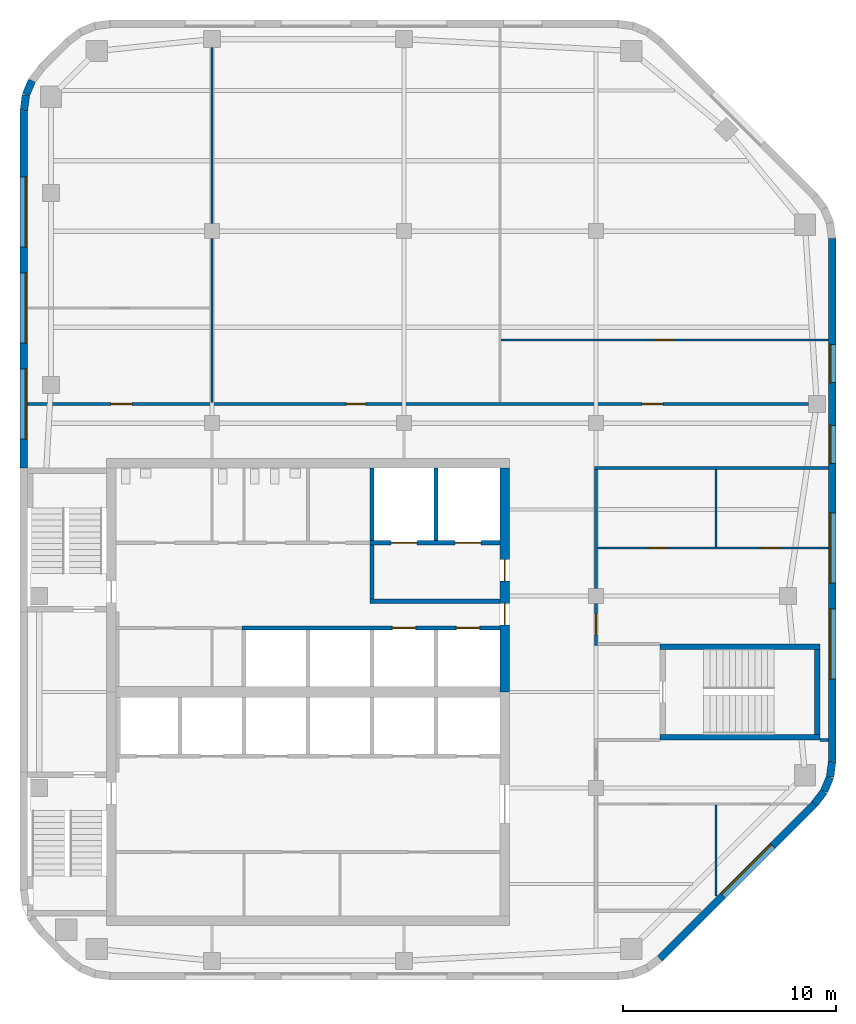
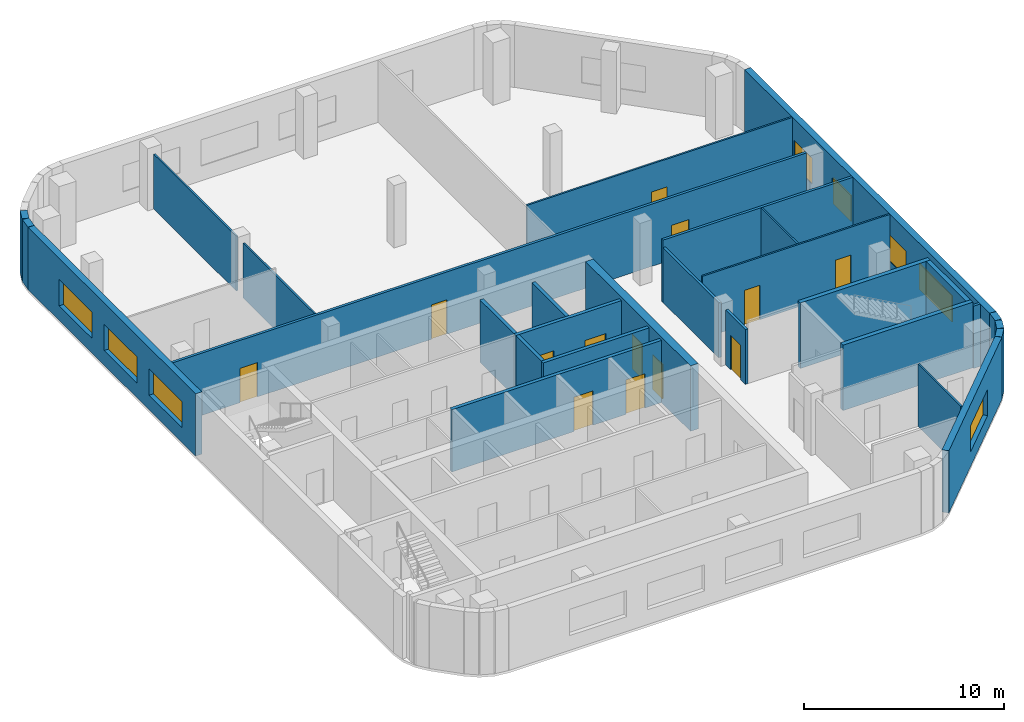
# One storey, part 4 of 7: 29 walls, 13 doors, 8 windows, 21 openings.
"""IFC4 building model written with IfcOpenShell, lengths in metres."""

from ifc_helpers import new_model, si_unit, direction, frame, frame_2d, origin, place, context, subcontext, project, spatial, rectangle, extrude, material, layer, layer_set, type_object, element, fill, save


model = new_model("IFC4")

# Units and contexts
model_context = context("Model", 3, precision=1e-05, world=origin(), true_north=direction((0.0, 1.0)))
body_context = subcontext(model_context, "Body", "Model", "MODEL_VIEW")
ifc_project = project(units=[si_unit("LENGTHUNIT", "METRE"), si_unit("AREAUNIT", "SQUARE_METRE"), si_unit("VOLUMEUNIT", "CUBIC_METRE"), si_unit("PLANEANGLEUNIT", "RADIAN"), si_unit("MASSUNIT", "GRAM", prefix="KILO")], contexts=[model_context])

# Site, building, storey
site_placement = place(None, origin())
site = spatial("IfcSite", under=ifc_project, at=site_placement, CompositionType="ELEMENT")
building_placement = place(site_placement, origin())
building = spatial("IfcBuilding", under=site, at=building_placement, Name="Cinnabar Reach Civic Tower", CompositionType="ELEMENT")
storey_placement = place(building_placement, frame((0.0, 0.0, 279.0)))
storey = spatial("IfcBuildingStorey", under=building, at=storey_placement, Name="L67", CompositionType="ELEMENT", Elevation=279.0)

# Walls
ifc_material_1 = material(Name="Facing brick with insulated backing", Category="masonry")
ifc_layer_1 = layer(ifc_material_1, 0.36)
ifc_layer_set_1 = layer_set([ifc_layer_1], Name="Brick corner wall")
wall_type_1 = type_object("IfcWallType", Name="Brick corner wall", PredefinedType="STANDARD", material=ifc_layer_set_1)
wall_1_placement = place(storey_placement, frame((37.2498, 26.2587, 0.0), z_axis=(0.0, 0.0, 1.0), x_axis=(0.608802368033, 0.793321924995, 0.0)))
element("IfcWall", 1, at=wall_1_placement, inside=storey, type_object=wall_type_1, Name="Brick corner wall", PredefinedType="STANDARD", context=body_context, shape_type="SweptSolid", body=[
    extrude(rectangle(XDim=0.7132, YDim=0.36, at=frame_2d((0.3566, 0.0))), origin(), (0.0, 0.0, 1.0), 3.8),
])
for number, where, z_axis, x_axis, name in (
    (2, (37.6952, 26.8439, 0.0), (0.0, 0.0, 1.0), (0.382702709855, 0.923871547278, 0.0), "Brick corner wall"),
    (3, (37.9739, 27.5244, 0.0), (0.0, 0.0, 1.0), (0.13055608231, 0.99144092581, 0.0), "Brick corner wall"),
    (4, (0.5548, 60.1561, 0.0), (0.0, 0.0, 1.0), (-0.382702709855, -0.923871547278, 0.0), "Brick corner wall"),
    (5, (0.2761, 59.4756, 0.0), (0.0, 0.0, 1.0), (-0.13055608231, -0.99144092581, 0.0), "Brick corner wall"),
):
    element("IfcWall", number, at=place(storey_placement, frame(where, z_axis=z_axis, x_axis=x_axis)), inside=storey, type_object=wall_type_1, Name=name, PredefinedType="STANDARD", context=body_context, shape_type="SweptSolid", body=[
        extrude(rectangle(XDim=0.7131, YDim=0.36, at=frame_2d((0.3565, 0.0))), origin(), (0.0, 0.0, 1.0), 3.8),
    ])

# Wall, opening, window
ifc_layer_2 = layer(ifc_material_1, 0.36)
ifc_layer_set_2 = layer_set([ifc_layer_2], Name="Brick pier and spandrel wall")
wall_type_2 = type_object("IfcWallType", Name="Brick pier and spandrel wall", PredefinedType="STANDARD", material=ifc_layer_set_2)
wall_2_placement = place(storey_placement, frame((30.0014, 19.006, 0.0), z_axis=(0.0, 0.0, 1.0), x_axis=(0.707106781187, 0.707106781187, 0.0)))
wall_2 = element("IfcWall", 6, at=wall_2_placement, inside=storey, type_object=wall_type_2, Name="Brick facade wall", PredefinedType="STANDARD", context=body_context, shape_type="SweptSolid", body=[
    extrude(rectangle(XDim=10.2426, YDim=0.36, at=frame_2d((5.1213, 0.0))), origin(), (0.0, 0.0, 1.0), 3.8),
])
opening_1_placement = place(wall_2_placement, frame((4.1713, 0.0, 0.9)))
opening_1 = element("IfcOpeningElement", 7, at=opening_1_placement, cuts=wall_2, Name="Opening W2317", PredefinedType="OPENING", context=body_context, shape_type="SweptSolid", body=[
    extrude(rectangle(XDim=3.3, YDim=1.6, at=frame_2d((1.65, 0.8))), frame((0.0, 0.19, 0.0), z_axis=(0.0, -1.0, 0.0), x_axis=(1.0, 0.0, 0.0)), (0.0, 0.0, 1.0), 0.38),
])
ifc_material_2 = material(Name="Clear double glazing in aluminium frame", Category="aluminium")
window_type_1 = type_object("IfcWindowType", Name="Deep-set window A", PartitioningType="SINGLE_PANEL", PredefinedType="WINDOW", material=ifc_material_2)
window_1_placement = place(opening_1_placement, origin())
window_1 = element("IfcWindow", 8, at=window_1_placement, inside=storey, type_object=window_type_1, Name="Window southeast face", OverallHeight=1.6, OverallWidth=3.3, PartitioningType="SINGLE_PANEL", PredefinedType="WINDOW", context=body_context, shape_type="SweptSolid", body=[
    extrude(rectangle(XDim=3.3, YDim=1.6, at=frame_2d((1.65, 0.8))), frame((0.0, 0.13, 0.0), z_axis=(0.0, -1.0, 0.0), x_axis=(1.0, 0.0, 0.0)), (0.0, 0.0, 1.0), 0.06),
])
fill(opening_1, window_1)

# Wall, openings, windows
wall_3_placement = place(storey_placement, frame((38.07, 28.2426, 0.0), z_axis=(0.0, 0.0, 1.0), x_axis=(0.0, 1.0, 0.0)))
wall_3 = element("IfcWall", 9, at=wall_3_placement, inside=storey, type_object=wall_type_2, Name="Brick facade wall", PredefinedType="STANDARD", context=body_context, shape_type="SweptSolid", body=[
    extrude(rectangle(XDim=24.5148, YDim=0.36, at=frame_2d((12.2574, 0.0))), origin(), (0.0, 0.0, 1.0), 3.8),
])
opening_2_placement = place(wall_3_placement, frame((3.8574, 0.0, 0.9)))
opening_2 = element("IfcOpeningElement", 10, at=opening_2_placement, cuts=wall_3, Name="Opening W2318", PredefinedType="OPENING", context=body_context, shape_type="SweptSolid", body=[
    extrude(rectangle(XDim=3.3, YDim=1.6, at=frame_2d((1.65, 0.8))), frame((0.0, 0.19, 0.0), z_axis=(0.0, -1.0, 0.0), x_axis=(1.0, 0.0, 0.0)), (0.0, 0.0, 1.0), 0.38),
])
opening_3_placement = place(wall_3_placement, frame((8.3574, 0.0, 0.9)))
opening_3 = element("IfcOpeningElement", 11, at=opening_3_placement, cuts=wall_3, Name="Opening W2319", PredefinedType="OPENING", context=body_context, shape_type="SweptSolid", body=[
    extrude(rectangle(XDim=3.3, YDim=1.6, at=frame_2d((1.65, 0.8))), frame((0.0, 0.19, 0.0), z_axis=(0.0, -1.0, 0.0), x_axis=(1.0, 0.0, 0.0)), (0.0, 0.0, 1.0), 0.38),
])
opening_4_placement = place(wall_3_placement, frame((13.9574, 0.0, 0.9)))
opening_4 = element("IfcOpeningElement", 12, at=opening_4_placement, cuts=wall_3, Name="Opening W2320", PredefinedType="OPENING", context=body_context, shape_type="SweptSolid", body=[
    extrude(rectangle(XDim=1.8, YDim=1.6, at=frame_2d((0.9, 0.8))), frame((0.0, 0.19, 0.0), z_axis=(0.0, -1.0, 0.0), x_axis=(1.0, 0.0, 0.0)), (0.0, 0.0, 1.0), 0.38),
])
opening_5_placement = place(wall_3_placement, frame((17.7574, 0.0, 0.9)))
opening_5 = element("IfcOpeningElement", 13, at=opening_5_placement, cuts=wall_3, Name="Opening W2321", PredefinedType="OPENING", context=body_context, shape_type="SweptSolid", body=[
    extrude(rectangle(XDim=1.8, YDim=1.6, at=frame_2d((0.9, 0.8))), frame((0.0, 0.19, 0.0), z_axis=(0.0, -1.0, 0.0), x_axis=(1.0, 0.0, 0.0)), (0.0, 0.0, 1.0), 0.38),
])
window_2_placement = place(opening_2_placement, origin())
window_2 = element("IfcWindow", 14, at=window_2_placement, inside=storey, type_object=window_type_1, Name="Window east face", OverallHeight=1.6, OverallWidth=3.3, PartitioningType="SINGLE_PANEL", PredefinedType="WINDOW", context=body_context, shape_type="SweptSolid", body=[
    extrude(rectangle(XDim=3.3, YDim=1.6, at=frame_2d((1.65, 0.8))), frame((0.0, 0.13, 0.0), z_axis=(0.0, -1.0, 0.0), x_axis=(1.0, 0.0, 0.0)), (0.0, 0.0, 1.0), 0.06),
])
fill(opening_2, window_2)
window_3_placement = place(opening_3_placement, origin())
window_3 = element("IfcWindow", 15, at=window_3_placement, inside=storey, type_object=window_type_1, Name="Window east face", OverallHeight=1.6, OverallWidth=3.3, PartitioningType="SINGLE_PANEL", PredefinedType="WINDOW", context=body_context, shape_type="SweptSolid", body=[
    extrude(rectangle(XDim=3.3, YDim=1.6, at=frame_2d((1.65, 0.8))), frame((0.0, 0.13, 0.0), z_axis=(0.0, -1.0, 0.0), x_axis=(1.0, 0.0, 0.0)), (0.0, 0.0, 1.0), 0.06),
])
fill(opening_3, window_3)
window_type_2 = type_object("IfcWindowType", Name="Deep-set window D", PartitioningType="SINGLE_PANEL", PredefinedType="WINDOW", material=ifc_material_2)
window_4_placement = place(opening_4_placement, origin())
window_4 = element("IfcWindow", 16, at=window_4_placement, inside=storey, type_object=window_type_2, Name="Window east face", OverallHeight=1.6, OverallWidth=1.8, PartitioningType="SINGLE_PANEL", PredefinedType="WINDOW", context=body_context, shape_type="SweptSolid", body=[
    extrude(rectangle(XDim=1.8, YDim=1.6, at=frame_2d((0.9, 0.8))), frame((0.0, 0.13, 0.0), z_axis=(0.0, -1.0, 0.0), x_axis=(1.0, 0.0, 0.0)), (0.0, 0.0, 1.0), 0.06),
])
fill(opening_4, window_4)
window_5_placement = place(opening_5_placement, origin())
window_5 = element("IfcWindow", 17, at=window_5_placement, inside=storey, type_object=window_type_2, Name="Window east face", OverallHeight=1.6, OverallWidth=1.8, PartitioningType="SINGLE_PANEL", PredefinedType="WINDOW", context=body_context, shape_type="SweptSolid", body=[
    extrude(rectangle(XDim=1.8, YDim=1.6, at=frame_2d((0.9, 0.8))), frame((0.0, 0.13, 0.0), z_axis=(0.0, -1.0, 0.0), x_axis=(1.0, 0.0, 0.0)), (0.0, 0.0, 1.0), 0.06),
])
fill(opening_5, window_5)

wall_4_placement = place(storey_placement, frame((0.18, 58.7574, 0.0), z_axis=(0.0, 0.0, 1.0), x_axis=(0.0, -1.0, 0.0)))
wall_4 = element("IfcWall", 18, at=wall_4_placement, inside=storey, type_object=wall_type_2, Name="Brick facade wall", PredefinedType="STANDARD", context=body_context, shape_type="SweptSolid", body=[
    extrude(rectangle(XDim=16.7574, YDim=0.36, at=frame_2d((8.3787, 0.0))), origin(), (0.0, 0.0, 1.0), 3.8),
])
opening_6_placement = place(wall_4_placement, frame((3.1074, 0.0, 0.9)))
opening_6 = element("IfcOpeningElement", 19, at=opening_6_placement, cuts=wall_4, Name="Opening W2327", PredefinedType="OPENING", context=body_context, shape_type="SweptSolid", body=[
    extrude(rectangle(XDim=3.3, YDim=1.6, at=frame_2d((1.65, 0.8))), frame((0.0, 0.19, 0.0), z_axis=(0.0, -1.0, 0.0), x_axis=(1.0, 0.0, 0.0)), (0.0, 0.0, 1.0), 0.38),
])
opening_7_placement = place(wall_4_placement, frame((7.6074, 0.0, 0.9)))
opening_7 = element("IfcOpeningElement", 20, at=opening_7_placement, cuts=wall_4, Name="Opening W2328", PredefinedType="OPENING", context=body_context, shape_type="SweptSolid", body=[
    extrude(rectangle(XDim=3.3, YDim=1.6, at=frame_2d((1.65, 0.8))), frame((0.0, 0.19, 0.0), z_axis=(0.0, -1.0, 0.0), x_axis=(1.0, 0.0, 0.0)), (0.0, 0.0, 1.0), 0.38),
])
opening_8_placement = place(wall_4_placement, frame((12.1074, 0.0, 0.9)))
opening_8 = element("IfcOpeningElement", 21, at=opening_8_placement, cuts=wall_4, Name="Opening W2329", PredefinedType="OPENING", context=body_context, shape_type="SweptSolid", body=[
    extrude(rectangle(XDim=3.3, YDim=1.6, at=frame_2d((1.65, 0.8))), frame((0.0, 0.19, 0.0), z_axis=(0.0, -1.0, 0.0), x_axis=(1.0, 0.0, 0.0)), (0.0, 0.0, 1.0), 0.38),
])
window_6_placement = place(opening_6_placement, origin())
window_6 = element("IfcWindow", 22, at=window_6_placement, inside=storey, type_object=window_type_1, Name="Window west face", OverallHeight=1.6, OverallWidth=3.3, PartitioningType="SINGLE_PANEL", PredefinedType="WINDOW", context=body_context, shape_type="SweptSolid", body=[
    extrude(rectangle(XDim=3.3, YDim=1.6, at=frame_2d((1.65, 0.8))), frame((0.0, 0.13, 0.0), z_axis=(0.0, -1.0, 0.0), x_axis=(1.0, 0.0, 0.0)), (0.0, 0.0, 1.0), 0.06),
])
fill(opening_6, window_6)
window_7_placement = place(opening_7_placement, origin())
window_7 = element("IfcWindow", 23, at=window_7_placement, inside=storey, type_object=window_type_1, Name="Window west face", OverallHeight=1.6, OverallWidth=3.3, PartitioningType="SINGLE_PANEL", PredefinedType="WINDOW", context=body_context, shape_type="SweptSolid", body=[
    extrude(rectangle(XDim=3.3, YDim=1.6, at=frame_2d((1.65, 0.8))), frame((0.0, 0.13, 0.0), z_axis=(0.0, -1.0, 0.0), x_axis=(1.0, 0.0, 0.0)), (0.0, 0.0, 1.0), 0.06),
])
fill(opening_7, window_7)
window_8_placement = place(opening_8_placement, origin())
window_8 = element("IfcWindow", 24, at=window_8_placement, inside=storey, type_object=window_type_1, Name="Window west face", OverallHeight=1.6, OverallWidth=3.3, PartitioningType="SINGLE_PANEL", PredefinedType="WINDOW", context=body_context, shape_type="SweptSolid", body=[
    extrude(rectangle(XDim=3.3, YDim=1.6, at=frame_2d((1.65, 0.8))), frame((0.0, 0.13, 0.0), z_axis=(0.0, -1.0, 0.0), x_axis=(1.0, 0.0, 0.0)), (0.0, 0.0, 1.0), 0.06),
])
fill(opening_8, window_8)

# Wall, openings, doors
ifc_material_3 = material(Name="Concrete C60", Category="concrete")
ifc_layer_3 = layer(ifc_material_3, 0.45)
ifc_layer_set_3 = layer_set([ifc_layer_3], Name="Core wall 450 EI 180")
wall_type_3 = type_object("IfcWallType", Name="Core wall 450 EI 180", PredefinedType="SOLIDWALL", material=ifc_layer_set_3)
wall_5_placement = place(storey_placement, frame((22.725, 31.5, 0.0), z_axis=(0.0, 0.0, 1.0), x_axis=(0.0, 1.0, 0.0)))
wall_5 = element("IfcWall", 25, at=wall_5_placement, inside=storey, type_object=wall_type_3, Name="Core wall T1 L67 E2", PredefinedType="SOLIDWALL", context=body_context, shape_type="SweptSolid", body=[
    extrude(rectangle(XDim=10.5, YDim=0.45, at=frame_2d((5.25, 0.0))), origin(), (0.0, 0.0, 1.0), 4.0),
])
opening_9_placement = place(wall_5_placement, frame((3.15, 0.0, 0.0)))
opening_9 = element("IfcOpeningElement", 26, at=opening_9_placement, cuts=wall_5, Name="Opening D5671", PredefinedType="OPENING", context=body_context, shape_type="SweptSolid", body=[
    extrude(rectangle(XDim=1.0, YDim=2.1, at=frame_2d((0.5, 1.05))), frame((0.0, 0.235, 0.0), z_axis=(0.0, -1.0, 0.0), x_axis=(1.0, 0.0, 0.0)), (0.0, 0.0, 1.0), 0.47),
])
opening_10_placement = place(wall_5_placement, frame((5.2, 0.0, 0.0)))
opening_10 = element("IfcOpeningElement", 27, at=opening_10_placement, cuts=wall_5, Name="Opening D5672", PredefinedType="OPENING", context=body_context, shape_type="SweptSolid", body=[
    extrude(rectangle(XDim=1.0, YDim=2.1, at=frame_2d((0.5, 1.05))), frame((0.0, 0.235, 0.0), z_axis=(0.0, -1.0, 0.0), x_axis=(1.0, 0.0, 0.0)), (0.0, 0.0, 1.0), 0.47),
])
ifc_material_4 = material(Name="Timber door leaf in steel frame", Category="steel")
door_type_1 = type_object("IfcDoorType", Name="Firefighting lobby door 1000 x 2100 T1", OperationType="SINGLE_SWING_LEFT", PredefinedType="DOOR", material=ifc_material_4)
door_1_placement = place(opening_10_placement, origin())
door_1 = element("IfcDoor", 28, at=door_1_placement, inside=storey, type_object=door_type_1, Name="Door D5672", OperationType="SINGLE_SWING_RIGHT", OverallHeight=2.1, OverallWidth=1.0, PredefinedType="DOOR", context=body_context, shape_type="SweptSolid", body=[
    extrude(rectangle(XDim=1.0, YDim=2.1, at=frame_2d((0.5, 1.05))), frame((0.0, 0.025, 0.0), z_axis=(0.0, -1.0, 0.0), x_axis=(1.0, 0.0, 0.0)), (0.0, 0.0, 1.0), 0.05),
])
fill(opening_10, door_1)
door_type_2 = type_object("IfcDoorType", Name="Single swing door 1000 x 2100 T1", OperationType="SINGLE_SWING_LEFT", PredefinedType="DOOR", material=ifc_material_4)
door_2_placement = place(opening_9_placement, origin())
door_2 = element("IfcDoor", 29, at=door_2_placement, inside=storey, type_object=door_type_2, Name="Door D5671", OperationType="SINGLE_SWING_RIGHT", OverallHeight=2.1, OverallWidth=1.0, PredefinedType="DOOR", context=body_context, shape_type="SweptSolid", body=[
    extrude(rectangle(XDim=1.0, YDim=2.1, at=frame_2d((0.5, 1.05))), frame((0.0, 0.025, 0.0), z_axis=(0.0, -1.0, 0.0), x_axis=(1.0, 0.0, 0.0)), (0.0, 0.0, 1.0), 0.05),
])
fill(opening_9, door_2)

ifc_material_5 = material(Name="Gypsum board on steel studs, double layer", Category="steel")
ifc_layer_4 = layer(ifc_material_5, 0.15)
ifc_layer_set_4 = layer_set([ifc_layer_4], Name="Corridor wall 150 T1")
wall_type_4 = type_object("IfcWallType", Name="Corridor wall 150 T1", PredefinedType="PARTITIONING", material=ifc_layer_set_4)
wall_6_placement = place(storey_placement, frame((0.36, 45.0, 0.0), z_axis=(0.0, 0.0, 1.0), x_axis=(1.0, 0.0, 0.0)))
wall_6 = element("IfcWall", 30, at=wall_6_placement, inside=storey, type_object=wall_type_4, Name="Corridor wall 18", PredefinedType="PARTITIONING", context=body_context, shape_type="SweptSolid", body=[
    extrude(rectangle(XDim=36.59, YDim=0.15, at=frame_2d((18.295, 0.0))), origin(), (0.0, 0.0, 1.0), 3.8),
])
opening_11_placement = place(wall_6_placement, frame((3.9, 0.0, 0.0)))
opening_11 = element("IfcOpeningElement", 31, at=opening_11_placement, cuts=wall_6, Name="Opening D5689", PredefinedType="OPENING", context=body_context, shape_type="SweptSolid", body=[
    extrude(rectangle(XDim=1.0, YDim=2.1, at=frame_2d((0.5, 1.05))), frame((0.0, 0.085, 0.0), z_axis=(0.0, -1.0, 0.0), x_axis=(1.0, 0.0, 0.0)), (0.0, 0.0, 1.0), 0.17),
])
opening_12_placement = place(wall_6_placement, frame((14.94, 0.0, 0.0)))
opening_12 = element("IfcOpeningElement", 32, at=opening_12_placement, cuts=wall_6, Name="Opening D5691", PredefinedType="OPENING", context=body_context, shape_type="SweptSolid", body=[
    extrude(rectangle(XDim=0.9, YDim=2.1, at=frame_2d((0.45, 1.05))), frame((0.0, 0.085, 0.0), z_axis=(0.0, -1.0, 0.0), x_axis=(1.0, 0.0, 0.0)), (0.0, 0.0, 1.0), 0.17),
])
opening_13_placement = place(wall_6_placement, frame((28.79, 0.0, 0.0)))
opening_13 = element("IfcOpeningElement", 33, at=opening_13_placement, cuts=wall_6, Name="Opening D5692", PredefinedType="OPENING", context=body_context, shape_type="SweptSolid", body=[
    extrude(rectangle(XDim=1.0, YDim=2.1, at=frame_2d((0.5, 1.05))), frame((0.0, 0.085, 0.0), z_axis=(0.0, -1.0, 0.0), x_axis=(1.0, 0.0, 0.0)), (0.0, 0.0, 1.0), 0.17),
])
door_type_3 = type_object("IfcDoorType", Name="Single swing door 900 x 2100 corridor T1", OperationType="SINGLE_SWING_LEFT", PredefinedType="DOOR", material=ifc_material_4)
door_3_placement = place(opening_12_placement, frame((0.9, 0.0, 0.0), z_axis=(0.0, 0.0, 1.0), x_axis=(-1.0, 0.0, 0.0)))
door_3 = element("IfcDoor", 34, at=door_3_placement, inside=storey, type_object=door_type_3, Name="Door D5691", OperationType="SINGLE_SWING_RIGHT", OverallHeight=2.1, OverallWidth=0.9, PredefinedType="DOOR", context=body_context, shape_type="SweptSolid", body=[
    extrude(rectangle(XDim=0.9, YDim=2.1, at=frame_2d((0.45, 1.05))), frame((0.0, 0.025, 0.0), z_axis=(0.0, -1.0, 0.0), x_axis=(1.0, 0.0, 0.0)), (0.0, 0.0, 1.0), 0.05),
])
fill(opening_12, door_3)
door_type_4 = type_object("IfcDoorType", Name="Tenancy entrance door 1000 x 2100 T1", OperationType="SINGLE_SWING_LEFT", PredefinedType="DOOR", material=ifc_material_4)
door_4_placement = place(opening_11_placement, origin())
door_4 = element("IfcDoor", 35, at=door_4_placement, inside=storey, type_object=door_type_4, Name="Door D5689", OperationType="SINGLE_SWING_LEFT", OverallHeight=2.1, OverallWidth=1.0, PredefinedType="DOOR", context=body_context, shape_type="SweptSolid", body=[
    extrude(rectangle(XDim=1.0, YDim=2.1, at=frame_2d((0.5, 1.05))), frame((0.0, 0.025, 0.0), z_axis=(0.0, -1.0, 0.0), x_axis=(1.0, 0.0, 0.0)), (0.0, 0.0, 1.0), 0.05),
])
fill(opening_11, door_4)
door_5_placement = place(opening_13_placement, origin())
door_5 = element("IfcDoor", 36, at=door_5_placement, inside=storey, type_object=door_type_4, Name="Door D5692", OperationType="SINGLE_SWING_RIGHT", OverallHeight=2.1, OverallWidth=1.0, PredefinedType="DOOR", context=body_context, shape_type="SweptSolid", body=[
    extrude(rectangle(XDim=1.0, YDim=2.1, at=frame_2d((0.5, 1.05))), frame((0.0, 0.025, 0.0), z_axis=(0.0, -1.0, 0.0), x_axis=(1.0, 0.0, 0.0)), (0.0, 0.0, 1.0), 0.05),
])
fill(opening_13, door_5)

# Wall
wall_7_placement = place(storey_placement, frame((26.925, 42.0, 0.0), z_axis=(0.0, 0.0, 1.0), x_axis=(1.0, 0.0, 0.0)))
element("IfcWall", 37, at=wall_7_placement, inside=storey, type_object=wall_type_4, Name="Corridor wall 21", PredefinedType="PARTITIONING", context=body_context, shape_type="SweptSolid", body=[
    extrude(rectangle(XDim=10.965, YDim=0.15, at=frame_2d((5.4825, 0.0))), origin(), (0.0, 0.0, 1.0), 3.8),
])

# Wall, opening, door
wall_8_placement = place(storey_placement, frame((27.0, 33.675, 0.0), z_axis=(0.0, 0.0, 1.0), x_axis=(0.0, 1.0, 0.0)))
wall_8 = element("IfcWall", 38, at=wall_8_placement, inside=storey, type_object=wall_type_4, Name="Corridor wall 22", PredefinedType="PARTITIONING", context=body_context, shape_type="SweptSolid", body=[
    extrude(rectangle(XDim=1.975, YDim=0.15, at=frame_2d((0.9875, 0.0))), origin(), (0.0, 0.0, 1.0), 3.35),
])
opening_14_placement = place(wall_8_placement, frame((0.5, 0.0, 0.0)))
opening_14 = element("IfcOpeningElement", 39, at=opening_14_placement, cuts=wall_8, Name="Opening D5683", PredefinedType="OPENING", context=body_context, shape_type="SweptSolid", body=[
    extrude(rectangle(XDim=1.0, YDim=2.1, at=frame_2d((0.5, 1.05))), frame((0.0, 0.085, 0.0), z_axis=(0.0, -1.0, 0.0), x_axis=(1.0, 0.0, 0.0)), (0.0, 0.0, 1.0), 0.17),
])
door_6_placement = place(opening_14_placement, frame((1.0, 0.0, 0.0), z_axis=(0.0, 0.0, 1.0), x_axis=(-1.0, 0.0, 0.0)))
door_6 = element("IfcDoor", 40, at=door_6_placement, inside=storey, type_object=door_type_4, Name="Door D5683", OperationType="SINGLE_SWING_RIGHT", OverallHeight=2.1, OverallWidth=1.0, PredefinedType="DOOR", context=body_context, shape_type="SweptSolid", body=[
    extrude(rectangle(XDim=1.0, YDim=2.1, at=frame_2d((0.5, 1.05))), frame((0.0, 0.025, 0.0), z_axis=(0.0, -1.0, 0.0), x_axis=(1.0, 0.0, 0.0)), (0.0, 0.0, 1.0), 0.05),
])
fill(opening_14, door_6)

# Wall
wall_9_placement = place(storey_placement, frame((27.0, 36.35, 0.0), z_axis=(0.0, 0.0, 1.0), x_axis=(0.0, 1.0, 0.0)))
element("IfcWall", 41, at=wall_9_placement, inside=storey, type_object=wall_type_4, Name="Corridor wall 23", PredefinedType="PARTITIONING", context=body_context, shape_type="SweptSolid", body=[
    extrude(rectangle(XDim=5.575, YDim=0.15, at=frame_2d((2.7875, 0.0))), origin(), (0.0, 0.0, 1.0), 3.35),
])

# Wall, openings, doors
ifc_material_6 = material(Name="Blockwork", Category="masonry")
ifc_layer_5 = layer(ifc_material_6, 0.2)
ifc_layer_set_5 = layer_set([ifc_layer_5], Name="Lift shaft wall 200 T1")
wall_type_5 = type_object("IfcWallType", Name="Lift shaft wall 200 T1", PredefinedType="PARTITIONING", material=ifc_layer_set_5)
wall_10_placement = place(storey_placement, frame((10.4, 34.5, 0.0), z_axis=(0.0, 0.0, 1.0), x_axis=(1.0, 0.0, 0.0)))
wall_10 = element("IfcWall", 42, at=wall_10_placement, inside=storey, type_object=wall_type_5, Name="Lift shaft wall 5", PredefinedType="PARTITIONING", context=body_context, shape_type="SweptSolid", body=[
    extrude(rectangle(XDim=12.1, YDim=0.2, at=frame_2d((6.05, 0.0))), origin(), (0.0, 0.0, 1.0), 3.8),
])
opening_15_placement = place(wall_10_placement, frame((7.05, 0.0, 0.0)))
opening_15 = element("IfcOpeningElement", 43, at=opening_15_placement, cuts=wall_10, Name="Opening D5666", PredefinedType="OPENING", context=body_context, shape_type="SweptSolid", body=[
    extrude(rectangle(XDim=1.1, YDim=2.1, at=frame_2d((0.55, 1.05))), frame((0.0, 0.11, 0.0), z_axis=(0.0, -1.0, 0.0), x_axis=(1.0, 0.0, 0.0)), (0.0, 0.0, 1.0), 0.22),
])
opening_16_placement = place(wall_10_placement, frame((10.05, 0.0, 0.0)))
opening_16 = element("IfcOpeningElement", 44, at=opening_16_placement, cuts=wall_10, Name="Opening D5667", PredefinedType="OPENING", context=body_context, shape_type="SweptSolid", body=[
    extrude(rectangle(XDim=1.1, YDim=2.1, at=frame_2d((0.55, 1.05))), frame((0.0, 0.11, 0.0), z_axis=(0.0, -1.0, 0.0), x_axis=(1.0, 0.0, 0.0)), (0.0, 0.0, 1.0), 0.22),
])
ifc_material_7 = material(Name="Stainless steel sliding door", Category="steel")
door_type_5 = type_object("IfcDoorType", Name="Lift landing door 1100 x 2100 T1", OperationType="SLIDING_TO_LEFT", PredefinedType="DOOR", material=ifc_material_7)
door_7_placement = place(opening_15_placement, origin())
door_7 = element("IfcDoor", 45, at=door_7_placement, inside=storey, type_object=door_type_5, Name="Lift landing door SV1 L67", OperationType="SLIDING_TO_LEFT", OverallHeight=2.1, OverallWidth=1.1, PredefinedType="DOOR", context=body_context, shape_type="SweptSolid", body=[
    extrude(rectangle(XDim=1.1, YDim=2.1, at=frame_2d((0.55, 1.05))), frame((0.0, 0.025, 0.0), z_axis=(0.0, -1.0, 0.0), x_axis=(1.0, 0.0, 0.0)), (0.0, 0.0, 1.0), 0.05),
])
fill(opening_15, door_7)
door_8_placement = place(opening_16_placement, origin())
door_8 = element("IfcDoor", 46, at=door_8_placement, inside=storey, type_object=door_type_5, Name="Lift landing door SV2 L67", OperationType="SLIDING_TO_LEFT", OverallHeight=2.1, OverallWidth=1.1, PredefinedType="DOOR", context=body_context, shape_type="SweptSolid", body=[
    extrude(rectangle(XDim=1.1, YDim=2.1, at=frame_2d((0.55, 1.05))), frame((0.0, 0.025, 0.0), z_axis=(0.0, -1.0, 0.0), x_axis=(1.0, 0.0, 0.0)), (0.0, 0.0, 1.0), 0.05),
])
fill(opening_16, door_8)

# Walls
for number, where, z_axis, x_axis, name in (
    (47, (16.5, 38.6, 0.0), (0.0, 0.0, 1.0), (0.0, 1.0, 0.0), "Lift shaft wall 14"),
    (48, (19.5, 38.6, 0.0), (0.0, 0.0, 1.0), (0.0, 1.0, 0.0), "Lift shaft wall 15"),
):
    element("IfcWall", number, at=place(storey_placement, frame(where, z_axis=z_axis, x_axis=x_axis)), inside=storey, type_object=wall_type_5, Name=name, PredefinedType="PARTITIONING", context=body_context, shape_type="SweptSolid", body=[
        extrude(rectangle(XDim=3.4, YDim=0.2, at=frame_2d((1.7, 0.0))), origin(), (0.0, 0.0, 1.0), 3.8),
    ])
ifc_material_8 = material(Name="Gypsum board on steel studs", Category="steel")
ifc_layer_6 = layer(ifc_material_8, 0.1)
ifc_layer_set_6 = layer_set([ifc_layer_6], Name="Partition wall 100 T1")
wall_type_6 = type_object("IfcWallType", Name="Partition wall 100 T1", PredefinedType="PARTITIONING", material=ifc_layer_set_6)
wall_11_placement = place(storey_placement, frame((9.0, 45.075, 0.0), z_axis=(0.0, 0.0, 1.0), x_axis=(0.0, 1.0, 0.0)))
element("IfcWall", 49, at=wall_11_placement, inside=storey, type_object=wall_type_6, Name="Partition wall 35", PredefinedType="PARTITIONING", context=body_context, shape_type="SweptSolid", body=[
    extrude(rectangle(XDim=7.675, YDim=0.1, at=frame_2d((3.8375, 0.0))), origin(), (0.0, 0.0, 1.0), 3.35),
])
wall_12_placement = place(storey_placement, frame((9.0, 53.45, 0.0), z_axis=(0.0, 0.0, 1.0), x_axis=(0.0, 1.0, 0.0)))
element("IfcWall", 50, at=wall_12_placement, inside=storey, type_object=wall_type_6, Name="Partition wall 36", PredefinedType="PARTITIONING", context=body_context, shape_type="SweptSolid", body=[
    extrude(rectangle(XDim=8.25, YDim=0.1, at=frame_2d((4.125, 0.0))), origin(), (0.0, 0.0, 1.0), 3.35),
])

# Wall, opening, door
wall_13_placement = place(storey_placement, frame((22.55, 48.0, 0.0), z_axis=(0.0, 0.0, 1.0), x_axis=(1.0, 0.0, 0.0)))
wall_13 = element("IfcWall", 51, at=wall_13_placement, inside=storey, type_object=wall_type_6, Name="Partition wall 38", PredefinedType="PARTITIONING", context=body_context, shape_type="SweptSolid", body=[
    extrude(rectangle(XDim=15.34, YDim=0.1, at=frame_2d((7.67, 0.0))), origin(), (0.0, 0.0, 1.0), 3.8),
])
opening_17_placement = place(wall_13_placement, frame((7.2, 0.0, 0.0)))
opening_17 = element("IfcOpeningElement", 52, at=opening_17_placement, cuts=wall_13, Name="Opening D5693", PredefinedType="OPENING", context=body_context, shape_type="SweptSolid", body=[
    extrude(rectangle(XDim=0.9, YDim=2.1, at=frame_2d((0.45, 1.05))), frame((0.0, 0.06, 0.0), z_axis=(0.0, -1.0, 0.0), x_axis=(1.0, 0.0, 0.0)), (0.0, 0.0, 1.0), 0.12),
])
door_type_6 = type_object("IfcDoorType", Name="Single swing door 900 x 2100 T1", OperationType="SINGLE_SWING_LEFT", PredefinedType="DOOR", material=ifc_material_4)
door_9_placement = place(opening_17_placement, frame((0.9, 0.0, 0.0), z_axis=(0.0, 0.0, 1.0), x_axis=(-1.0, 0.0, 0.0)))
door_9 = element("IfcDoor", 53, at=door_9_placement, inside=storey, type_object=door_type_6, Name="Door D5693", OperationType="SINGLE_SWING_LEFT", OverallHeight=2.1, OverallWidth=0.9, PredefinedType="DOOR", context=body_context, shape_type="SweptSolid", body=[
    extrude(rectangle(XDim=0.9, YDim=2.1, at=frame_2d((0.45, 1.05))), frame((0.0, 0.025, 0.0), z_axis=(0.0, -1.0, 0.0), x_axis=(1.0, 0.0, 0.0)), (0.0, 0.0, 1.0), 0.05),
])
fill(opening_17, door_9)

# Wall, openings, doors
wall_14_placement = place(storey_placement, frame((27.075, 38.25, 0.0), z_axis=(0.0, 0.0, 1.0), x_axis=(1.0, 0.0, 0.0)))
wall_14 = element("IfcWall", 54, at=wall_14_placement, inside=storey, type_object=wall_type_6, Name="Partition wall 39", PredefinedType="PARTITIONING", context=body_context, shape_type="SweptSolid", body=[
    extrude(rectangle(XDim=10.815, YDim=0.1, at=frame_2d((5.4075, 0.0))), origin(), (0.0, 0.0, 1.0), 3.8),
])
opening_18_placement = place(wall_14_placement, frame((2.4, 0.0, 0.0)))
opening_18 = element("IfcOpeningElement", 55, at=opening_18_placement, cuts=wall_14, Name="Opening D5684", PredefinedType="OPENING", context=body_context, shape_type="SweptSolid", body=[
    extrude(rectangle(XDim=0.9, YDim=2.1, at=frame_2d((0.45, 1.05))), frame((0.0, 0.06, 0.0), z_axis=(0.0, -1.0, 0.0), x_axis=(1.0, 0.0, 0.0)), (0.0, 0.0, 1.0), 0.12),
])
opening_19_placement = place(wall_14_placement, frame((7.65, 0.0, 0.0)))
opening_19 = element("IfcOpeningElement", 56, at=opening_19_placement, cuts=wall_14, Name="Opening D5685", PredefinedType="OPENING", context=body_context, shape_type="SweptSolid", body=[
    extrude(rectangle(XDim=0.9, YDim=2.1, at=frame_2d((0.45, 1.05))), frame((0.0, 0.06, 0.0), z_axis=(0.0, -1.0, 0.0), x_axis=(1.0, 0.0, 0.0)), (0.0, 0.0, 1.0), 0.12),
])
door_10_placement = place(opening_18_placement, origin())
door_10 = element("IfcDoor", 57, at=door_10_placement, inside=storey, type_object=door_type_6, Name="Door D5684", OperationType="SINGLE_SWING_LEFT", OverallHeight=2.1, OverallWidth=0.9, PredefinedType="DOOR", context=body_context, shape_type="SweptSolid", body=[
    extrude(rectangle(XDim=0.9, YDim=2.1, at=frame_2d((0.45, 1.05))), frame((0.0, 0.025, 0.0), z_axis=(0.0, -1.0, 0.0), x_axis=(1.0, 0.0, 0.0)), (0.0, 0.0, 1.0), 0.05),
])
fill(opening_18, door_10)
door_11_placement = place(opening_19_placement, origin())
door_11 = element("IfcDoor", 58, at=door_11_placement, inside=storey, type_object=door_type_6, Name="Door D5685", OperationType="SINGLE_SWING_LEFT", OverallHeight=2.1, OverallWidth=0.9, PredefinedType="DOOR", context=body_context, shape_type="SweptSolid", body=[
    extrude(rectangle(XDim=0.9, YDim=2.1, at=frame_2d((0.45, 1.05))), frame((0.0, 0.025, 0.0), z_axis=(0.0, -1.0, 0.0), x_axis=(1.0, 0.0, 0.0)), (0.0, 0.0, 1.0), 0.05),
])
fill(opening_19, door_11)

# Walls
wall_15_placement = place(storey_placement, frame((32.625, 21.9341, 0.0), z_axis=(0.0, 0.0, 1.0), x_axis=(0.0, 1.0, 0.0)))
element("IfcWall", 59, at=wall_15_placement, inside=storey, type_object=wall_type_6, Name="Partition wall 42", PredefinedType="PARTITIONING", context=body_context, shape_type="SweptSolid", body=[
    extrude(rectangle(XDim=4.2659, YDim=0.1, at=frame_2d((2.133, 0.0))), origin(), (0.0, 0.0, 1.0), 3.8),
])
wall_16_placement = place(storey_placement, frame((32.625, 38.3, 0.0), z_axis=(0.0, 0.0, 1.0), x_axis=(0.0, 1.0, 0.0)))
element("IfcWall", 60, at=wall_16_placement, inside=storey, type_object=wall_type_6, Name="Partition wall 43", PredefinedType="PARTITIONING", context=body_context, shape_type="SweptSolid", body=[
    extrude(rectangle(XDim=3.625, YDim=0.1, at=frame_2d((1.8125, 0.0))), origin(), (0.0, 0.0, 1.0), 3.8),
])
ifc_material_9 = material(Name="Concrete C40", Category="concrete")
ifc_layer_7 = layer(ifc_material_9, 0.2)
ifc_layer_set_7 = layer_set([ifc_layer_7], Name="Refuge compartment wall 200 T1")
wall_type_7 = type_object("IfcWallType", Name="Refuge compartment wall 200 T1", PredefinedType="PARTITIONING", material=ifc_layer_set_7)
wall_17_placement = place(storey_placement, frame((16.4, 35.75, 0.0), z_axis=(0.0, 0.0, 1.0), x_axis=(1.0, 0.0, 0.0)))
element("IfcWall", 61, at=wall_17_placement, inside=storey, type_object=wall_type_7, Name="Refuge compartment wall 1", PredefinedType="PARTITIONING", context=body_context, shape_type="SweptSolid", body=[
    extrude(rectangle(XDim=6.1, YDim=0.2, at=frame_2d((3.05, 0.0))), origin(), (0.0, 0.0, 1.0), 3.8),
])

# Wall, openings, doors
wall_18_placement = place(storey_placement, frame((16.4, 38.5, 0.0), z_axis=(0.0, 0.0, 1.0), x_axis=(1.0, 0.0, 0.0)))
wall_18 = element("IfcWall", 62, at=wall_18_placement, inside=storey, type_object=wall_type_7, Name="Refuge compartment wall 2", PredefinedType="PARTITIONING", context=body_context, shape_type="SweptSolid", body=[
    extrude(rectangle(XDim=6.1, YDim=0.2, at=frame_2d((3.05, 0.0))), origin(), (0.0, 0.0, 1.0), 3.8),
])
opening_20_placement = place(wall_18_placement, frame((1.0, 0.0, 0.0)))
opening_20 = element("IfcOpeningElement", 63, at=opening_20_placement, cuts=wall_18, Name="Opening D5668", PredefinedType="OPENING", context=body_context, shape_type="SweptSolid", body=[
    extrude(rectangle(XDim=1.2, YDim=2.1, at=frame_2d((0.6, 1.05))), frame((0.0, 0.11, 0.0), z_axis=(0.0, -1.0, 0.0), x_axis=(1.0, 0.0, 0.0)), (0.0, 0.0, 1.0), 0.22),
])
opening_21_placement = place(wall_18_placement, frame((4.0, 0.0, 0.0)))
opening_21 = element("IfcOpeningElement", 64, at=opening_21_placement, cuts=wall_18, Name="Opening D5669", PredefinedType="OPENING", context=body_context, shape_type="SweptSolid", body=[
    extrude(rectangle(XDim=1.2, YDim=2.1, at=frame_2d((0.6, 1.05))), frame((0.0, 0.11, 0.0), z_axis=(0.0, -1.0, 0.0), x_axis=(1.0, 0.0, 0.0)), (0.0, 0.0, 1.0), 0.22),
])
door_type_7 = type_object("IfcDoorType", Name="Firefighting lift landing door 1200 x 2100 T1", OperationType="SLIDING_TO_LEFT", PredefinedType="DOOR", material=ifc_material_7)
door_12_placement = place(opening_20_placement, origin())
door_12 = element("IfcDoor", 65, at=door_12_placement, inside=storey, type_object=door_type_7, Name="Lift landing door FF1 L67", OperationType="SLIDING_TO_LEFT", OverallHeight=2.1, OverallWidth=1.2, PredefinedType="DOOR", context=body_context, shape_type="SweptSolid", body=[
    extrude(rectangle(XDim=1.2, YDim=2.1, at=frame_2d((0.6, 1.05))), frame((0.0, 0.025, 0.0), z_axis=(0.0, -1.0, 0.0), x_axis=(1.0, 0.0, 0.0)), (0.0, 0.0, 1.0), 0.05),
])
fill(opening_20, door_12)
door_13_placement = place(opening_21_placement, origin())
door_13 = element("IfcDoor", 66, at=door_13_placement, inside=storey, type_object=door_type_7, Name="Lift landing door FF2 L67", OperationType="SLIDING_TO_LEFT", OverallHeight=2.1, OverallWidth=1.2, PredefinedType="DOOR", context=body_context, shape_type="SweptSolid", body=[
    extrude(rectangle(XDim=1.2, YDim=2.1, at=frame_2d((0.6, 1.05))), frame((0.0, 0.025, 0.0), z_axis=(0.0, -1.0, 0.0), x_axis=(1.0, 0.0, 0.0)), (0.0, 0.0, 1.0), 0.05),
])
fill(opening_21, door_13)

# Walls
wall_19_placement = place(storey_placement, frame((16.5, 35.85, 0.0), z_axis=(0.0, 0.0, 1.0), x_axis=(0.0, 1.0, 0.0)))
element("IfcWall", 67, at=wall_19_placement, inside=storey, type_object=wall_type_7, Name="Refuge compartment wall 3", PredefinedType="PARTITIONING", context=body_context, shape_type="SweptSolid", body=[
    extrude(rectangle(XDim=2.55, YDim=0.2, at=frame_2d((1.275, 0.0))), origin(), (0.0, 0.0, 1.0), 3.8),
])
ifc_layer_8 = layer(ifc_material_3, 0.25)
ifc_layer_set_8 = layer_set([ifc_layer_8], Name="Stair shaft wall 250 EI 120")
wall_type_8 = type_object("IfcWallType", Name="Stair shaft wall 250 EI 120", PredefinedType="SOLIDWALL", material=ifc_layer_set_8)
for number, where, z_axis, x_axis, name in (
    (68, (30.0, 29.375, 0.0), (0.0, 0.0, 1.0), (1.0, 0.0, 0.0), "Stair shaft wall T1-S3 L67"),
    (69, (37.5, 33.625, 0.0), (0.0, 0.0, 1.0), (-1.0, 0.0, 0.0), "Stair shaft wall T1-S3 L67"),
):
    element("IfcWall", number, at=place(storey_placement, frame(where, z_axis=z_axis, x_axis=x_axis)), inside=storey, type_object=wall_type_8, Name=name, PredefinedType="SOLIDWALL", context=body_context, shape_type="SweptSolid", body=[
        extrude(rectangle(XDim=7.5, YDim=0.25, at=frame_2d((3.75, 0.0))), origin(), (0.0, 0.0, 1.0), 4.0),
    ])
wall_20_placement = place(storey_placement, frame((37.375, 29.5, 0.0), z_axis=(0.0, 0.0, 1.0), x_axis=(0.0, 1.0, 0.0)))
element("IfcWall", 70, at=wall_20_placement, inside=storey, type_object=wall_type_8, Name="Stair shaft wall T1-S3 L67", PredefinedType="SOLIDWALL", context=body_context, shape_type="SweptSolid", body=[
    extrude(rectangle(XDim=4.0, YDim=0.25, at=frame_2d((2.0, 0.0))), origin(), (0.0, 0.0, 1.0), 4.0),
])
ifc_layer_9 = layer(ifc_material_5, 0.15)
ifc_layer_set_9 = layer_set([ifc_layer_9], Name="Tenancy separating wall 150 T1")
wall_type_9 = type_object("IfcWallType", Name="Tenancy separating wall 150 T1", PredefinedType="PARTITIONING", material=ifc_layer_set_9)
wall_21_placement = place(storey_placement, frame((37.5, 29.25, 0.0), z_axis=(0.0, 0.0, 1.0), x_axis=(1.0, 0.0, 0.0)))
element("IfcWall", 71, at=wall_21_placement, inside=storey, type_object=wall_type_9, Name="Tenancy separating wall 34", PredefinedType="PARTITIONING", context=body_context, shape_type="SweptSolid", body=[
    extrude(rectangle(XDim=0.39, YDim=0.15, at=frame_2d((0.195, 0.0))), origin(), (0.0, 0.0, 1.0), 3.8),
])

save(model, "model.ifc")
